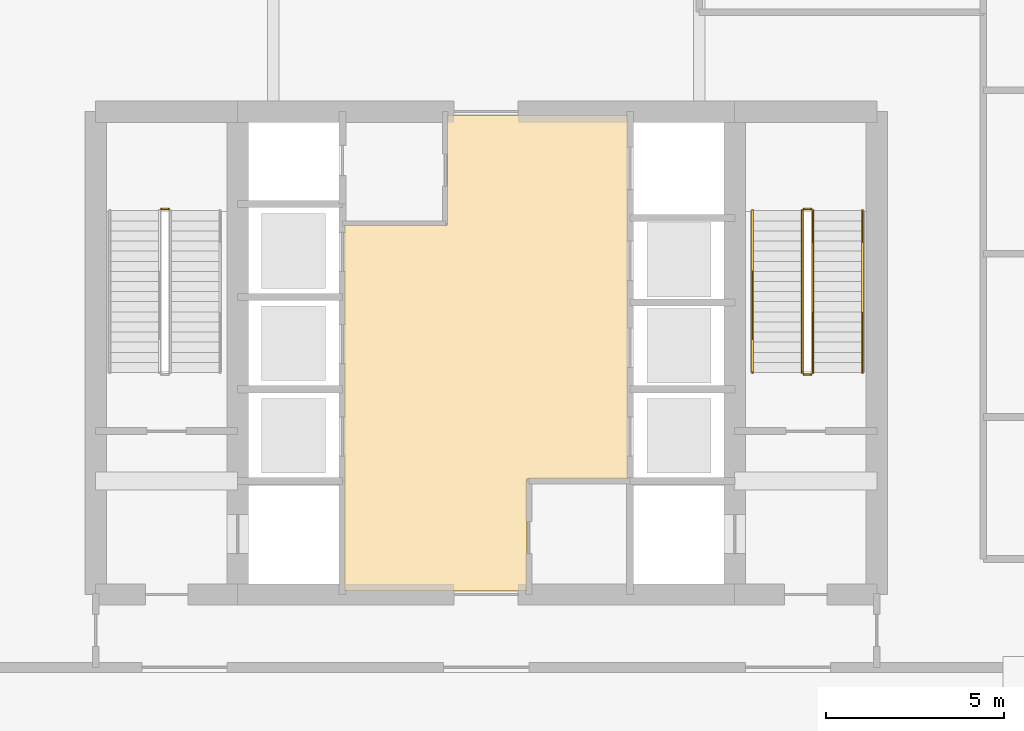
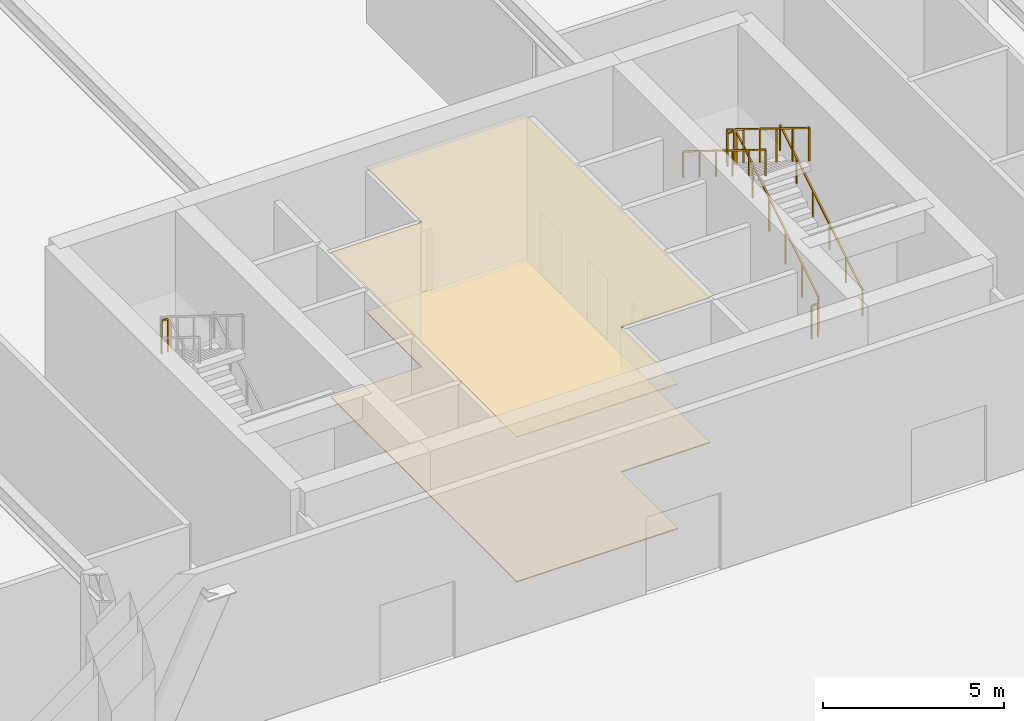
# One storey, part 44 of 49: 7 railings, 2 coverings.
"""IFC4 building model written with IfcOpenShell, lengths in metres."""

from ifc_helpers import new_model, si_unit, direction, frame, origin, origin_2d, place, context, subcontext, project, spatial, polyline, rectangle, outline, extrude, material, layer, layer_set, type_object, element, save


model = new_model("IFC4")

# Units and contexts
model_context = context("Model", 3, precision=1e-05, world=origin(), true_north=direction((0.0, 1.0)))
body_context = subcontext(model_context, "Body", "Model", "MODEL_VIEW")
ifc_project = project(units=[si_unit("LENGTHUNIT", "METRE"), si_unit("AREAUNIT", "SQUARE_METRE"), si_unit("VOLUMEUNIT", "CUBIC_METRE"), si_unit("PLANEANGLEUNIT", "RADIAN"), si_unit("MASSUNIT", "GRAM", prefix="KILO")], contexts=[model_context])

# Site, building, storey
site_placement = place(None, origin())
site = spatial("IfcSite", under=ifc_project, at=site_placement, CompositionType="ELEMENT")
building_placement = place(site_placement, origin())
building = spatial("IfcBuilding", under=site, at=building_placement, Name="Sarneth Arch Tower", CompositionType="ELEMENT")
storey_placement = place(building_placement, origin())
storey = spatial("IfcBuildingStorey", under=building, at=storey_placement, Name="L00", CompositionType="ELEMENT", Elevation=0.0)

# Coverings
ifc_material_1 = material(Name="Perforated acoustic gypsum ceiling board")
ifc_layer_1 = layer(ifc_material_1, 0.02490234375)
ifc_layer_set_1 = layer_set([ifc_layer_1], Name="Perforated acoustic gypsum ceiling board")
covering_type_1 = type_object("IfcCoveringType", Name="COV-CEIL-GYP", PredefinedType="CEILING", material=ifc_layer_set_1)
covering_1_placement = place(storey_placement, frame((0.0, 0.0, 4.889892578125)))
element("IfcCovering", 1, at=covering_1_placement, inside=storey, type_object=covering_type_1, Name="L00 Lift lobby acoustic ceiling", PredefinedType="CEILING", context=body_context, shape_type="SweptSolid", body=[
    extrude(outline(polyline([(49.14990234375, 38.449951171875), (49.14990234375, 35.300048828125), (44.0, 35.300048828125), (44.0, 45.60009765625), (46.89990234375, 45.60009765625), (46.89990234375, 48.699951171875), (52.0, 48.699951171875), (52.0, 38.449951171875), (49.14990234375, 38.449951171875)])), origin(), (0.0, 0.0, 1.0), 0.030029296875),
])
ifc_material_2 = material(Name="Honed granite stone flooring", Category="masonry")
ifc_layer_2 = layer(ifc_material_2, 0.030029296875)
ifc_layer_set_2 = layer_set([ifc_layer_2], Name="Honed granite stone flooring")
covering_type_2 = type_object("IfcCoveringType", Name="COV-FLR-STONE", PredefinedType="FLOORING", material=ifc_layer_set_2)
covering_2_placement = place(storey_placement, origin())
element("IfcCovering", 2, at=covering_2_placement, inside=storey, type_object=covering_type_2, Name="L00 Lift lobby granite flooring", PredefinedType="FLOORING", context=body_context, shape_type="SweptSolid", body=[
    extrude(outline(polyline([(49.14990234375, 38.449951171875), (49.14990234375, 35.300048828125), (44.0, 35.300048828125), (44.0, 45.60009765625), (46.89990234375, 45.60009765625), (46.89990234375, 48.699951171875), (52.0, 48.699951171875), (52.0, 38.449951171875), (49.14990234375, 38.449951171875)])), origin(), (0.0, 0.0, 1.0), 0.030029296875),
])

# Railings
ifc_material_3 = material(Name="Brushed Stainless Steel 304 tubular handrail", Category="steel")
railing_type_1 = type_object("IfcRailingType", Name="RAIL-HANDRAIL-900", PredefinedType="HANDRAIL", material=ifc_material_3)
railing_1_placement = place(storey_placement, frame((58.60009765625, 41.449951171875, 0.176513671875)))
element("IfcRailing", 3, at=railing_1_placement, inside=storey, type_object=railing_type_1, Name="L00 ST-2 stair handrail 1", PredefinedType="HANDRAIL", context=body_context, shape_type="SweptSolid", body=[
    extrude(rectangle(XDim=0.048095703125, YDim=0.048095703125, at=origin_2d()), frame((0.0, 0.0, 0.8759765625), z_axis=(0.0, 0.850215668316, 0.526434532824), x_axis=(-1.0, 0.0, 0.0)), (0.0, 0.0, 1.0), 5.363525390625),
    extrude(rectangle(XDim=0.0419921875, YDim=0.0419921875, at=origin_2d()), origin(), (0.0, 0.0, 1.0), 0.851806640625),
    extrude(rectangle(XDim=0.0419921875, YDim=0.0419921875, at=origin_2d()), frame((0.0, 0.912109375, 0.564697265625)), (0.0, 0.0, 1.0), 0.851806640625),
    extrude(rectangle(XDim=0.0419921875, YDim=0.0419921875, at=origin_2d()), frame((0.0, 1.823974609375, 1.12939453125)), (0.0, 0.0, 1.0), 0.851806640625),
    extrude(rectangle(XDim=0.0419921875, YDim=0.0419921875, at=origin_2d()), frame((0.0, 2.736083984375, 1.694091796875)), (0.0, 0.0, 1.0), 0.851806640625),
    extrude(rectangle(XDim=0.0419921875, YDim=0.0419921875, at=origin_2d()), frame((0.0, 3.64794921875, 2.2587890625)), (0.0, 0.0, 1.0), 0.851806640625),
    extrude(rectangle(XDim=0.0419921875, YDim=0.0419921875, at=origin_2d()), frame((0.0, 4.56005859375, 2.823486328125)), (0.0, 0.0, 1.0), 0.851806640625),
])
railing_2_placement = place(storey_placement, frame((55.5, 46.010009765625, 3.176513671875)))
element("IfcRailing", 4, at=railing_2_placement, inside=storey, type_object=railing_type_1, Name="L00 ST-2 stair handrail 2", PredefinedType="HANDRAIL", context=body_context, shape_type="SweptSolid", body=[
    extrude(rectangle(XDim=0.048095703125, YDim=0.048095703125, at=origin_2d()), frame((0.0, 0.0, 0.8759765625), z_axis=(0.0, -0.850215668316, 0.526434532824), x_axis=(1.0, 0.0, 0.0)), (0.0, 0.0, 1.0), 5.363525390625),
    extrude(rectangle(XDim=0.0419921875, YDim=0.0419921875, at=origin_2d()), origin(), (0.0, 0.0, 1.0), 0.851806640625),
    extrude(rectangle(XDim=0.0419921875, YDim=0.0419921875, at=origin_2d()), frame((0.0, -0.912109375, 0.564697265625)), (0.0, 0.0, 1.0), 0.851806640625),
    extrude(rectangle(XDim=0.0419921875, YDim=0.0419921875, at=origin_2d()), frame((0.0, -1.823974609375, 1.12939453125)), (0.0, 0.0, 1.0), 0.851806640625),
    extrude(rectangle(XDim=0.0419921875, YDim=0.0419921875, at=origin_2d()), frame((0.0, -2.736083984375, 1.694091796875)), (0.0, 0.0, 1.0), 0.851806640625),
    extrude(rectangle(XDim=0.0419921875, YDim=0.0419921875, at=origin_2d()), frame((0.0, -3.64794921875, 2.2587890625)), (0.0, 0.0, 1.0), 0.851806640625),
    extrude(rectangle(XDim=0.0419921875, YDim=0.0419921875, at=origin_2d()), frame((0.0, -4.56005859375, 2.823486328125)), (0.0, 0.0, 1.0), 0.851806640625),
])
ifc_material_4 = material(Name="Painted Steel S275 stair well guard", Category="steel")
railing_type_2 = type_object("IfcRailingType", Name="RAIL-STAIR-GUARD", PredefinedType="GUARDRAIL", material=ifc_material_4)
railing_3_placement = place(storey_placement, frame((39.050048828125, 46.06005859375, 3.0)))
element("IfcRailing", 5, at=railing_3_placement, inside=storey, type_object=railing_type_2, Name="L00 ST-1 stair guard 2", PredefinedType="GUARDRAIL", context=body_context, shape_type="SweptSolid", body=[
    extrude(rectangle(XDim=0.048095703125, YDim=0.048095703125, at=origin_2d()), frame((0.0, 0.0, 1.1259765625), z_axis=(-1.0, 0.0, 0.0), x_axis=(0.0, -1.0, 0.0)), (0.0, 0.0, 1.0), 0.199951171875),
    extrude(rectangle(XDim=0.0419921875, YDim=0.0419921875, at=origin_2d()), origin(), (0.0, 0.0, 1.0), 1.101806640625),
    extrude(rectangle(XDim=0.0419921875, YDim=0.0419921875, at=origin_2d()), frame((-0.199951171875, 0.0, 0.0)), (0.0, 0.0, 1.0), 1.101806640625),
])
railing_4_placement = place(storey_placement, frame((57.199951171875, 41.449951171875, 0.176513671875)))
element("IfcRailing", 6, at=railing_4_placement, inside=storey, type_object=railing_type_2, Name="L00 ST-2 stair guard 1", PredefinedType="GUARDRAIL", context=body_context, shape_type="SweptSolid", body=[
    extrude(rectangle(XDim=0.048095703125, YDim=0.048095703125, at=origin_2d()), frame((0.0, 0.0, 1.1259765625), z_axis=(0.0, 0.850215668316, 0.526434532824), x_axis=(-1.0, 0.0, 0.0)), (0.0, 0.0, 1.0), 5.363525390625),
    extrude(rectangle(XDim=0.0419921875, YDim=0.0419921875, at=origin_2d()), origin(), (0.0, 0.0, 1.0), 1.101806640625),
    extrude(rectangle(XDim=0.0419921875, YDim=0.0419921875, at=origin_2d()), frame((0.0, 0.912109375, 0.564697265625)), (0.0, 0.0, 1.0), 1.101806640625),
    extrude(rectangle(XDim=0.0419921875, YDim=0.0419921875, at=origin_2d()), frame((0.0, 1.823974609375, 1.12939453125)), (0.0, 0.0, 1.0), 1.101806640625),
    extrude(rectangle(XDim=0.0419921875, YDim=0.0419921875, at=origin_2d()), frame((0.0, 2.736083984375, 1.694091796875)), (0.0, 0.0, 1.0), 1.101806640625),
    extrude(rectangle(XDim=0.0419921875, YDim=0.0419921875, at=origin_2d()), frame((0.0, 3.64794921875, 2.2587890625)), (0.0, 0.0, 1.0), 1.101806640625),
    extrude(rectangle(XDim=0.0419921875, YDim=0.0419921875, at=origin_2d()), frame((0.0, 4.56005859375, 2.823486328125)), (0.0, 0.0, 1.0), 1.101806640625),
])
railing_5_placement = place(storey_placement, frame((57.14990234375, 46.06005859375, 3.0)))
element("IfcRailing", 7, at=railing_5_placement, inside=storey, type_object=railing_type_2, Name="L00 ST-2 stair guard 2", PredefinedType="GUARDRAIL", context=body_context, shape_type="SweptSolid", body=[
    extrude(rectangle(XDim=0.048095703125, YDim=0.048095703125, at=origin_2d()), frame((0.0, 0.0, 1.1259765625), z_axis=(-1.0, 0.0, 0.0), x_axis=(0.0, -1.0, 0.0)), (0.0, 0.0, 1.0), 0.199951171875),
    extrude(rectangle(XDim=0.0419921875, YDim=0.0419921875, at=origin_2d()), origin(), (0.0, 0.0, 1.0), 1.101806640625),
    extrude(rectangle(XDim=0.0419921875, YDim=0.0419921875, at=origin_2d()), frame((-0.199951171875, 0.0, 0.0)), (0.0, 0.0, 1.0), 1.101806640625),
])
railing_6_placement = place(storey_placement, frame((56.89990234375, 46.010009765625, 3.176513671875)))
element("IfcRailing", 8, at=railing_6_placement, inside=storey, type_object=railing_type_2, Name="L00 ST-2 stair guard 3", PredefinedType="GUARDRAIL", context=body_context, shape_type="SweptSolid", body=[
    extrude(rectangle(XDim=0.048095703125, YDim=0.048095703125, at=origin_2d()), frame((0.0, 0.0, 1.1259765625), z_axis=(0.0, -0.850215668316, 0.526434532824), x_axis=(1.0, 0.0, 0.0)), (0.0, 0.0, 1.0), 5.363525390625),
    extrude(rectangle(XDim=0.0419921875, YDim=0.0419921875, at=origin_2d()), origin(), (0.0, 0.0, 1.0), 1.101806640625),
    extrude(rectangle(XDim=0.0419921875, YDim=0.0419921875, at=origin_2d()), frame((0.0, -0.912109375, 0.564697265625)), (0.0, 0.0, 1.0), 1.101806640625),
    extrude(rectangle(XDim=0.0419921875, YDim=0.0419921875, at=origin_2d()), frame((0.0, -1.823974609375, 1.12939453125)), (0.0, 0.0, 1.0), 1.101806640625),
    extrude(rectangle(XDim=0.0419921875, YDim=0.0419921875, at=origin_2d()), frame((0.0, -2.736083984375, 1.694091796875)), (0.0, 0.0, 1.0), 1.101806640625),
    extrude(rectangle(XDim=0.0419921875, YDim=0.0419921875, at=origin_2d()), frame((0.0, -3.64794921875, 2.2587890625)), (0.0, 0.0, 1.0), 1.101806640625),
    extrude(rectangle(XDim=0.0419921875, YDim=0.0419921875, at=origin_2d()), frame((0.0, -4.56005859375, 2.823486328125)), (0.0, 0.0, 1.0), 1.101806640625),
])
railing_7_placement = place(storey_placement, frame((57.14990234375, 41.39990234375, 0.0)))
element("IfcRailing", 9, at=railing_7_placement, inside=storey, type_object=railing_type_2, Name="L00 ST-2 stair guard 4", PredefinedType="GUARDRAIL", context=body_context, shape_type="SweptSolid", body=[
    extrude(rectangle(XDim=0.048095703125, YDim=0.048095703125, at=origin_2d()), frame((0.0, 0.0, 1.1259765625), z_axis=(-1.0, 0.0, 0.0), x_axis=(0.0, -1.0, 0.0)), (0.0, 0.0, 1.0), 0.199951171875),
    extrude(rectangle(XDim=0.0419921875, YDim=0.0419921875, at=origin_2d()), origin(), (0.0, 0.0, 1.0), 1.101806640625),
    extrude(rectangle(XDim=0.0419921875, YDim=0.0419921875, at=origin_2d()), frame((-0.199951171875, 0.0, 0.0)), (0.0, 0.0, 1.0), 1.101806640625),
])

save(model, "model.ifc")
